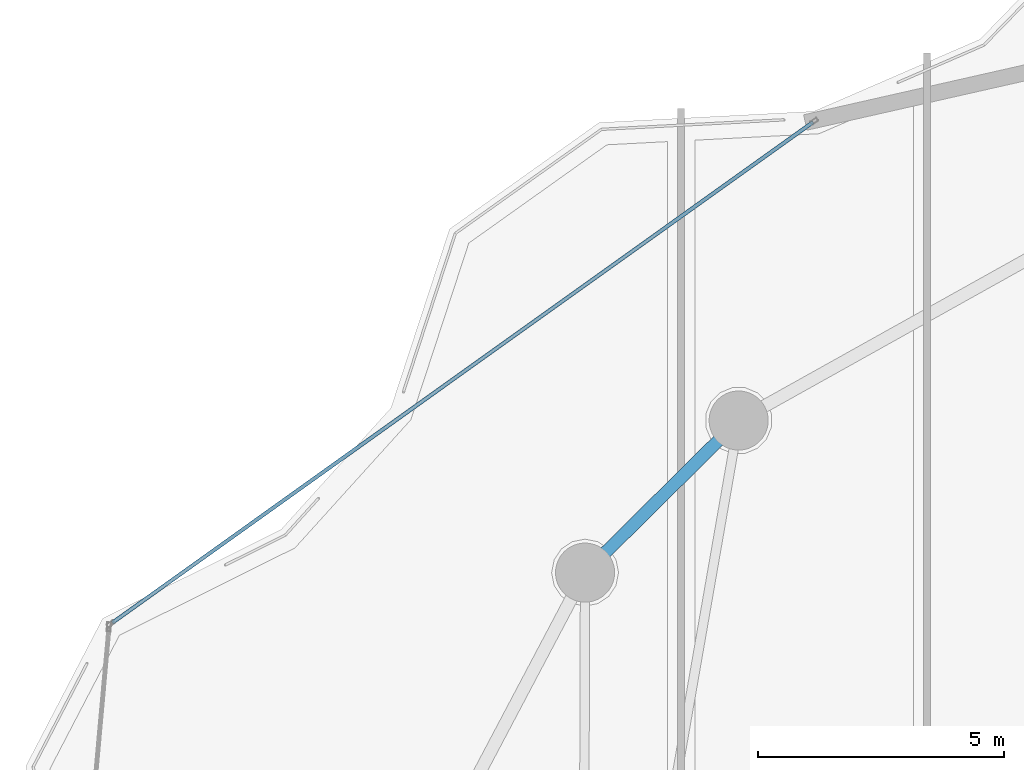
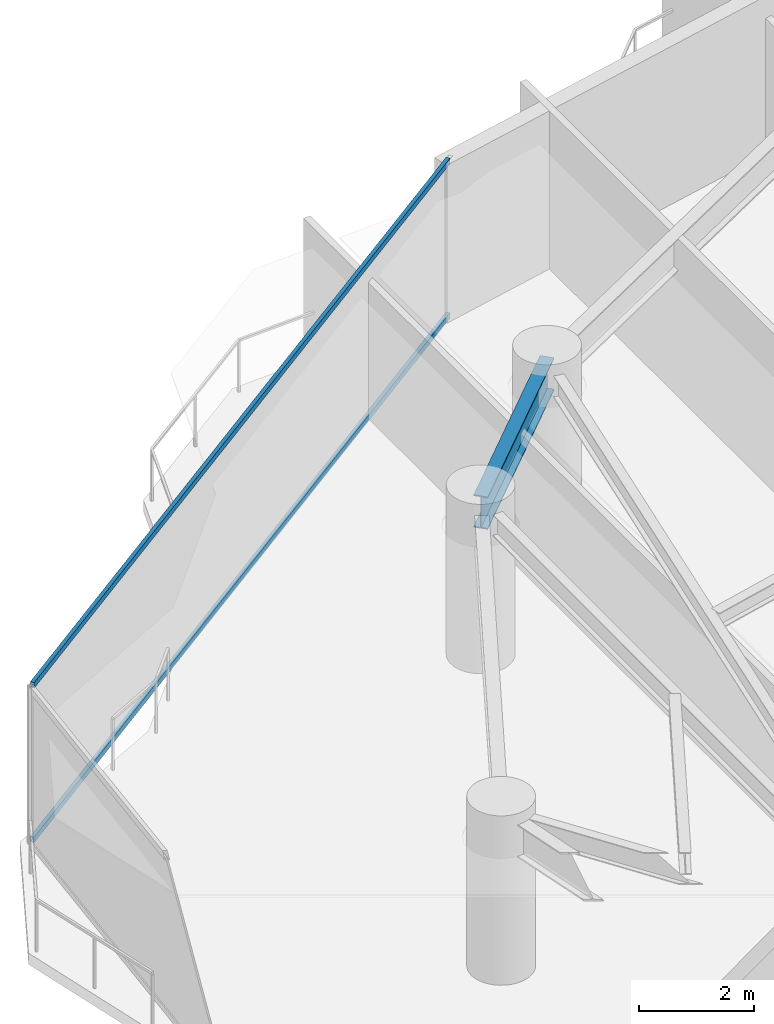
# One storey, part 18 of 33: 2 members, 1 beam, 1 element without a shape of its own.
"""IFC4 building model written with IfcOpenShell, lengths in metres."""

from ifc_helpers import new_model, si_unit, direction, frame, origin, origin_2d, place, context, subcontext, project, spatial, hollow_rectangle, i_section, extrude, material, layer, layer_set, material_profile, profile_set, type_object, element, aggregate, save


model = new_model("IFC4")

# Units and contexts
model_context = context("Model", 3, precision=1e-05, world=origin(), true_north=direction((0.0, 1.0)))
body_context = subcontext(model_context, "Body", "Model", "MODEL_VIEW")
ifc_project = project(units=[si_unit("LENGTHUNIT", "METRE"), si_unit("AREAUNIT", "SQUARE_METRE"), si_unit("VOLUMEUNIT", "CUBIC_METRE"), si_unit("PLANEANGLEUNIT", "RADIAN"), si_unit("MASSUNIT", "GRAM", prefix="KILO")], contexts=[model_context])

# Site, building, storey
site_placement = place(None, origin())
site = spatial("IfcSite", under=ifc_project, at=site_placement, CompositionType="ELEMENT")
building_placement = place(site_placement, origin())
building = spatial("IfcBuilding", under=site, at=building_placement, Name="Kazevale Care Tower and Concert Hall", CompositionType="ELEMENT")
storey_placement = place(building_placement, frame((0.0, 0.0, 149.39990234375)))
storey = spatial("IfcBuildingStorey", under=building, at=storey_placement, Name="L39", CompositionType="ELEMENT", Elevation=149.39990234375)

# Curtain wall, members
ifc_material_1 = material(Name="Aluminium 6063-T6 and Low-E Glass", Category="aluminium")
ifc_layer = layer(ifc_material_1, 0.179931640625)
ifc_layer_set = layer_set([ifc_layer], Name="Aluminium 6063-T6 and Low-E Glass")
curtain_wall_type = type_object("IfcCurtainWallType", Name="Convex Recessed Sunroom Curtain Wall CW-3", PredefinedType="NOTDEFINED", material=ifc_layer_set)
curtain_wall_placement = place(storey_placement, origin())
curtain_wall = element("IfcCurtainWall", 1, at=curtain_wall_placement, inside=storey, type_object=curtain_wall_type, Name="cw:L39:f14", PredefinedType="NOTDEFINED")
ifc_material_2 = material(Name="Aluminium 6063-T6", Category="aluminium")
ifc_material_profile_1 = material_profile(ifc_material_2, hollow_rectangle(XDim=0.074951171875, YDim=0.1201171875, WallThickness=0.00390625, at=origin_2d()), Name="ALU75x120x4")
ifc_profile_set_1 = profile_set([ifc_material_profile_1], Name="Aluminium 6063-T6")
member_type = type_object("IfcMemberType", Name="CW-3 Transom ALU75x120x4", PredefinedType="USERDEFINED", material=ifc_profile_set_1)
member_1_placement = place(storey_placement, frame((12.443115234375, 50.469482421875, 0.03759765625), z_axis=(0.813667466523, 0.581330589185, 0.0), x_axis=(-0.581330589185, 0.813667466523, 0.0)))
member_1 = element("IfcMember", 2, at=member_1_placement, type_object=member_type, Name="CW-3 transom 1.1", ObjectType="TRANSOM", PredefinedType="USERDEFINED", context=body_context, shape_type="SweptSolid", body=[
    extrude(hollow_rectangle(XDim=0.074951171875, YDim=0.1201171875, WallThickness=0.00390625, at=origin_2d()), origin(), (0.0, 0.0, 1.0), 17.495849609375),
])
member_2_placement = place(storey_placement, frame((12.443115234375, 50.469482421875, 3.322509765625), z_axis=(0.813667466523, 0.581330589185, 0.0), x_axis=(-0.581330589185, 0.813667466523, 0.0)))
member_2 = element("IfcMember", 3, at=member_2_placement, type_object=member_type, Name="CW-3 transom 1.2", ObjectType="TRANSOM", PredefinedType="USERDEFINED", context=body_context, shape_type="SweptSolid", body=[
    extrude(hollow_rectangle(XDim=0.074951171875, YDim=0.1201171875, WallThickness=0.00390625, at=origin_2d()), origin(), (0.0, 0.0, 1.0), 17.495849609375),
])
aggregate(curtain_wall, [member_1, member_2])

# Beam
ifc_material_3 = material(Name="Steel ASTM A572 Gr 50", Category="steel")
ifc_material_profile_2 = material_profile(ifc_material_3, i_section(OverallWidth=0.256103515625, OverallDepth=0.693115234375, WebThickness=0.014404296875, FlangeThickness=0.023681640625, at=origin_2d()), Name="W690x170")
ifc_profile_set_2 = profile_set([ifc_material_profile_2], Name="Steel ASTM A572 Gr 50")
beam_type = type_object("IfcBeamType", Name="Waist Ring Beam W690x170", PredefinedType="BEAM", material=ifc_profile_set_2)
beam_placement = place(storey_placement, frame((25.169921875, 54.580078125, 3.013671875), z_axis=(-0.710490141585, -0.703707154085, 0.0), x_axis=(0.703707154085, -0.710490141585, 0.0)))
element("IfcBeam", 4, at=beam_placement, inside=storey, type_object=beam_type, Name="beam:L39:ring:07", PredefinedType="BEAM", context=body_context, shape_type="SweptSolid", body=[
    extrude(i_section(OverallWidth=0.256103515625, OverallDepth=0.693115234375, WebThickness=0.014404296875, FlangeThickness=0.023681640625, at=origin_2d()), origin(), (0.0, 0.0, 1.0), 4.39111328125),
])

save(model, "model.ifc")
